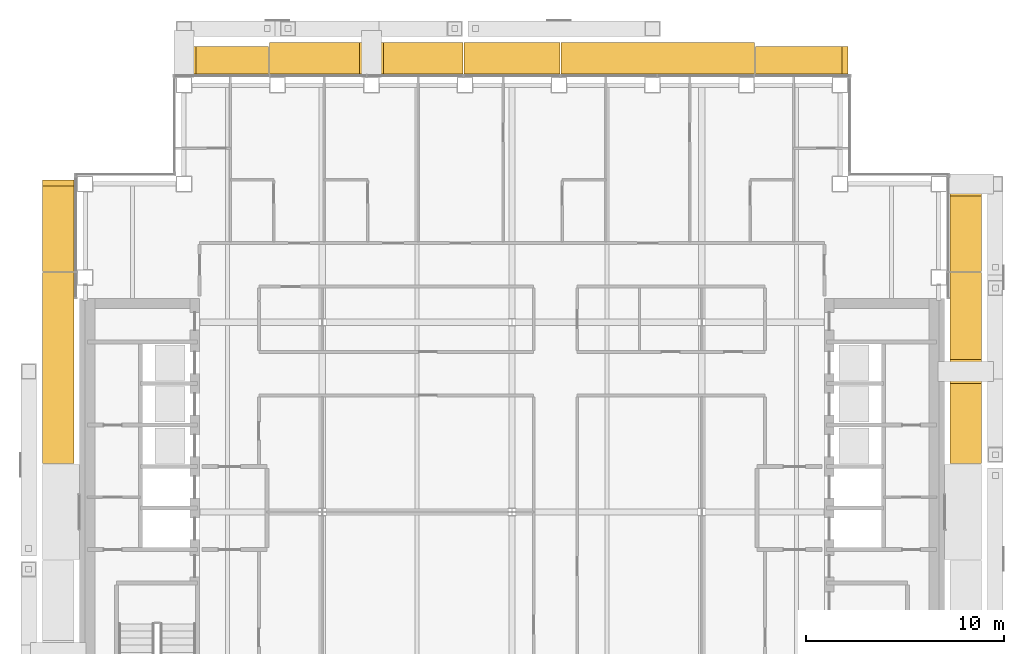
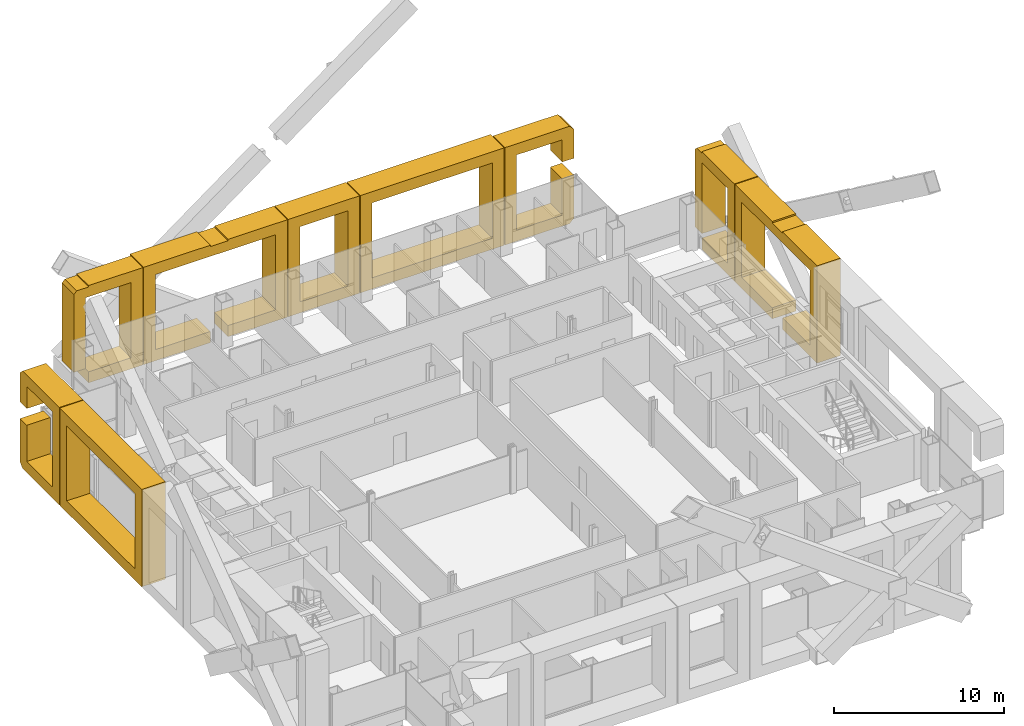
# One storey, part 21 of 22: 9 coverings.
"""IFC4 building model written with IfcOpenShell, lengths in metres."""

from ifc_helpers import new_model, si_unit, direction, frame, origin, place, context, subcontext, project, spatial, polyline, outline, extrude, material, type_object, element, save


model = new_model("IFC4")

# Units and contexts
model_context = context("Model", 3, precision=1e-05, world=origin(), true_north=direction((0.0, 1.0)))
body_context = subcontext(model_context, "Body", "Model", "MODEL_VIEW")
ifc_project = project(units=[si_unit("LENGTHUNIT", "METRE"), si_unit("AREAUNIT", "SQUARE_METRE"), si_unit("VOLUMEUNIT", "CUBIC_METRE"), si_unit("PLANEANGLEUNIT", "RADIAN"), si_unit("MASSUNIT", "GRAM", prefix="KILO")], contexts=[model_context])

# Site, building, storey
site_placement = place(None, origin())
site = spatial("IfcSite", under=ifc_project, at=site_placement, CompositionType="ELEMENT")
building_placement = place(site_placement, origin())
building = spatial("IfcBuilding", under=site, at=building_placement, Name="Cobrizo Arcos Hotel Tower", CompositionType="ELEMENT")
storey_placement = place(building_placement, frame((0.0, 0.0, 169.0)))
storey = spatial("IfcBuildingStorey", under=building, at=storey_placement, Name="L43", CompositionType="ELEMENT", Elevation=169.0)

# Coverings
ifc_material = material(Name="Aluminium 6063-T6 anodised bronze", Category="aluminium")
covering_type_1 = type_object("IfcCoveringType", Name="FIN-F 1400", PredefinedType="CLADDING", material=ifc_material)
covering_1_placement = place(storey_placement, frame((17.0, 22.14990234375, 0.0), z_axis=(0.0, 1.0, 0.0), x_axis=(-1.0, 0.0, 0.0)))
element("IfcCovering", 1, at=covering_1_placement, inside=storey, type_object=covering_type_1, Name="Fin frame 186", PredefinedType="CLADDING", context=body_context, shape_type="SweptSolid", body=[
    extrude(outline(polyline([(0.0, 6.699951171875), (0.0, 4.60205078125), (0.800048828125, 4.60205078125), (0.800048828125, 6.199951171875), (3.889404296875, 6.199951171875), (3.889404296875, 0.800048828125), (0.800048828125, 0.800048828125), (0.800048828125, 3.39794921875), (0.0, 3.39794921875), (0.0, 0.300048828125), (0.300048828125, 0.0), (4.689208984375, 0.0), (4.689208984375, 7.0), (0.300048828125, 7.0), (0.0, 6.699951171875)])), origin(), (0.0, 0.0, 1.0), 1.400146484375),
])
covering_2_placement = place(storey_placement, frame((-12.310791015625, 22.14990234375, 0.0), z_axis=(0.0, 1.0, 0.0), x_axis=(-1.0, 0.0, 0.0)))
element("IfcCovering", 2, at=covering_2_placement, inside=storey, type_object=covering_type_1, Name="Fin frame 190", PredefinedType="CLADDING", context=body_context, shape_type="SweptSolid", body=[
    extrude(outline(polyline([(0.0, 0.0), (3.687255859375, 0.0), (3.687255859375, 0.800048828125), (0.800048828125, 0.800048828125), (0.800048828125, 6.199951171875), (3.889404296875, 6.199951171875), (3.889404296875, 1.10205078125), (4.689208984375, 1.10205078125), (4.689208984375, 6.699951171875), (4.4912109375, 6.89794921875), (3.687255859375, 6.89794921875), (3.687255859375, 7.0), (0.0, 7.0), (0.0, 0.0)])), origin(), (0.0, 0.0, 1.0), 1.400146484375),
])
covering_type_2 = type_object("IfcCoveringType", Name="FIN-F 1600", PredefinedType="CLADDING", material=ifc_material)
covering_3_placement = place(storey_placement, frame((12.2607421875, 22.14990234375, 0.0), z_axis=(0.0, 1.0, 0.0), x_axis=(-1.0, 0.0, 0.0)))
element("IfcCovering", 3, at=covering_3_placement, inside=storey, type_object=covering_type_2, Name="Fin frame 187", PredefinedType="CLADDING", context=body_context, shape_type="SweptSolid", body=[
    extrude(outline(polyline([(0.0, 7.0), (0.0, 0.0), (9.778564453125, 0.0), (9.778564453125, 7.0), (0.0, 7.0)]), holes=[polyline([(8.978515625, 0.800048828125), (0.800048828125, 0.800048828125), (0.800048828125, 6.199951171875), (8.978515625, 6.199951171875), (8.978515625, 0.800048828125)])]), origin(), (0.0, 0.0, 1.0), 1.60009765625),
])
covering_4_placement = place(storey_placement, frame((2.43212890625, 22.14990234375, 0.0), z_axis=(0.0, 1.0, 0.0), x_axis=(-1.0, 0.0, 0.0)))
element("IfcCovering", 4, at=covering_4_placement, inside=storey, type_object=covering_type_2, Name="Fin frame 188", PredefinedType="CLADDING", context=body_context, shape_type="SweptSolid", body=[
    extrude(outline(polyline([(0.0, 7.0), (0.0, 0.0), (4.8642578125, 0.0), (4.8642578125, 7.0), (0.0, 7.0)]), holes=[polyline([(4.064208984375, 0.800048828125), (0.800048828125, 0.800048828125), (0.800048828125, 6.199951171875), (4.064208984375, 6.199951171875), (4.064208984375, 0.800048828125)])]), origin(), (0.0, 0.0, 1.0), 1.60009765625),
])
covering_5_placement = place(storey_placement, frame((-2.482177734375, 22.14990234375, 0.0), z_axis=(0.0, 1.0, 0.0), x_axis=(-1.0, 0.0, 0.0)))
element("IfcCovering", 5, at=covering_5_placement, inside=storey, type_object=covering_type_2, Name="Fin frame 189", PredefinedType="CLADDING", context=body_context, shape_type="SweptSolid", body=[
    extrude(outline(polyline([(0.0, 0.0), (4.0302734375, 0.0), (4.0302734375, 0.800048828125), (0.800048828125, 0.800048828125), (0.800048828125, 6.199951171875), (8.978515625, 6.199951171875), (8.978515625, 0.800048828125), (5.234130859375, 0.800048828125), (5.234130859375, 0.0), (9.778564453125, 0.0), (9.778564453125, 7.0), (5.234130859375, 7.0), (5.234130859375, 6.89794921875), (4.0302734375, 6.89794921875), (4.0302734375, 7.0), (0.0, 7.0), (0.0, 0.0)])), origin(), (0.0, 0.0, 1.0), 1.60009765625),
])
covering_6_placement = place(storey_placement, frame((22.14990234375, 2.45361328125, 0.0), z_axis=(1.0, 0.0, 0.0), x_axis=(0.0, 1.0, 0.0)))
element("IfcCovering", 6, at=covering_6_placement, inside=storey, type_object=covering_type_2, Name="Fin frame 219", PredefinedType="CLADDING", context=body_context, shape_type="SweptSolid", body=[
    extrude(outline(polyline([(0.0, 0.0), (4.05859375, 0.0), (4.05859375, 0.800048828125), (0.800048828125, 0.800048828125), (0.800048828125, 6.199951171875), (8.8642578125, 6.199951171875), (8.8642578125, 0.800048828125), (5.2626953125, 0.800048828125), (5.2626953125, 0.0), (9.664306640625, 0.0), (9.664306640625, 7.0), (5.2626953125, 7.0), (5.2626953125, 6.89794921875), (4.05859375, 6.89794921875), (4.05859375, 7.0), (0.0, 7.0), (0.0, 0.0)])), origin(), (0.0, 0.0, 1.0), 1.60009765625),
])
covering_7_placement = place(storey_placement, frame((22.14990234375, 12.16796875, 0.0), z_axis=(1.0, 0.0, 0.0), x_axis=(0.0, 1.0, 0.0)))
element("IfcCovering", 7, at=covering_7_placement, inside=storey, type_object=covering_type_2, Name="Fin frame 220", PredefinedType="CLADDING", context=body_context, shape_type="SweptSolid", body=[
    extrude(outline(polyline([(0.0, 0.0), (3.830078125, 0.0), (3.830078125, 0.800048828125), (0.800048828125, 0.800048828125), (0.800048828125, 6.199951171875), (3.83203125, 6.199951171875), (3.83203125, 1.10205078125), (4.632080078125, 1.10205078125), (4.632080078125, 6.699951171875), (4.43408203125, 6.89794921875), (3.830078125, 6.89794921875), (3.830078125, 7.0), (0.0, 7.0), (0.0, 0.0)])), origin(), (0.0, 0.0, 1.0), 1.60009765625),
])
covering_8_placement = place(storey_placement, frame((-22.14990234375, 16.800048828125, 0.0), z_axis=(-1.0, 0.0, 0.0), x_axis=(0.0, -1.0, 0.0)))
element("IfcCovering", 8, at=covering_8_placement, inside=storey, type_object=covering_type_2, Name="Fin frame 276", PredefinedType="CLADDING", context=body_context, shape_type="SweptSolid", body=[
    extrude(outline(polyline([(0.0, 6.699951171875), (0.0, 4.60205078125), (0.800048828125, 4.60205078125), (0.800048828125, 6.199951171875), (3.83203125, 6.199951171875), (3.83203125, 0.800048828125), (0.800048828125, 0.800048828125), (0.800048828125, 3.39794921875), (0.0, 3.39794921875), (0.0, 0.300048828125), (0.300048828125, 0.0), (4.632080078125, 0.0), (4.632080078125, 7.0), (0.300048828125, 7.0), (0.0, 6.699951171875)])), origin(), (0.0, 0.0, 1.0), 1.60009765625),
])
covering_9_placement = place(storey_placement, frame((-22.14990234375, 12.117919921875, 0.0), z_axis=(-1.0, 0.0, 0.0), x_axis=(0.0, -1.0, 0.0)))
element("IfcCovering", 9, at=covering_9_placement, inside=storey, type_object=covering_type_2, Name="Fin frame 277", PredefinedType="CLADDING", context=body_context, shape_type="SweptSolid", body=[
    extrude(outline(polyline([(0.0, 7.0), (0.0, 0.0), (9.664306640625, 0.0), (9.664306640625, 7.0), (0.0, 7.0)]), holes=[polyline([(8.8642578125, 0.800048828125), (0.800048828125, 0.800048828125), (0.800048828125, 6.199951171875), (8.8642578125, 6.199951171875), (8.8642578125, 0.800048828125)])]), origin(), (0.0, 0.0, 1.0), 1.60009765625),
])

save(model, "model.ifc")
